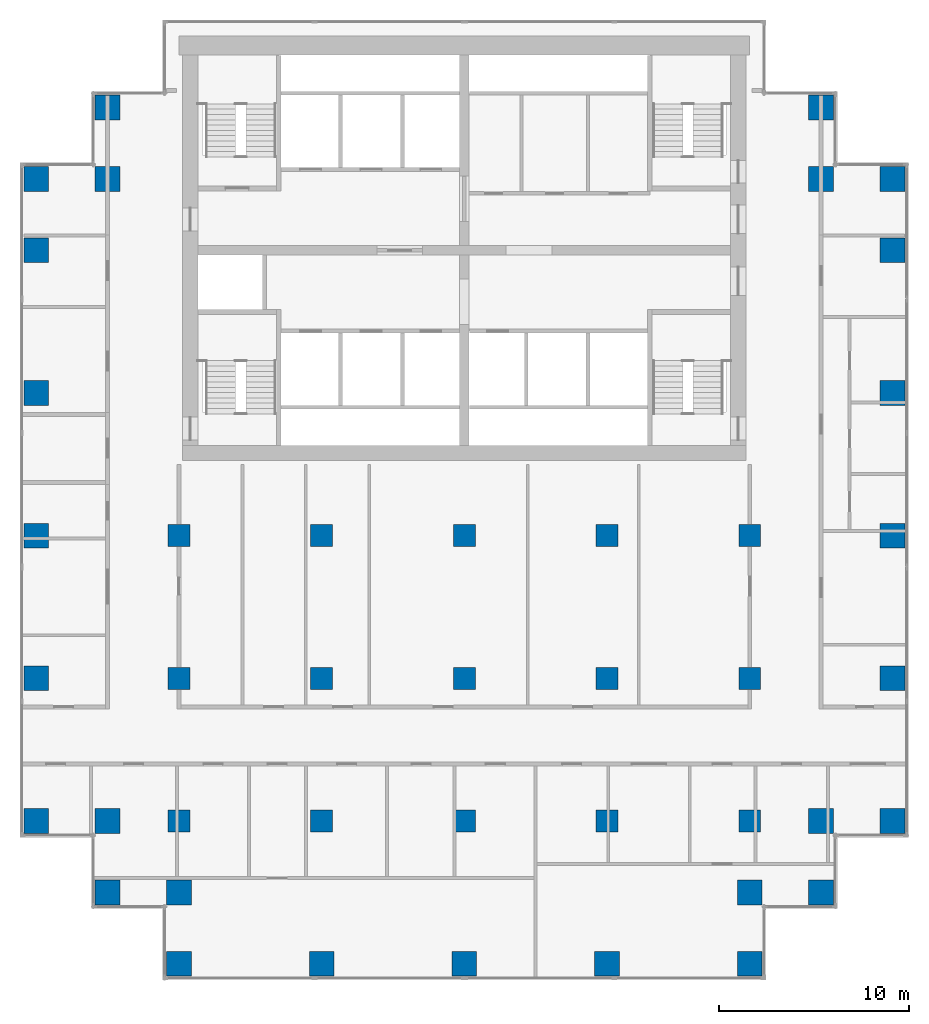
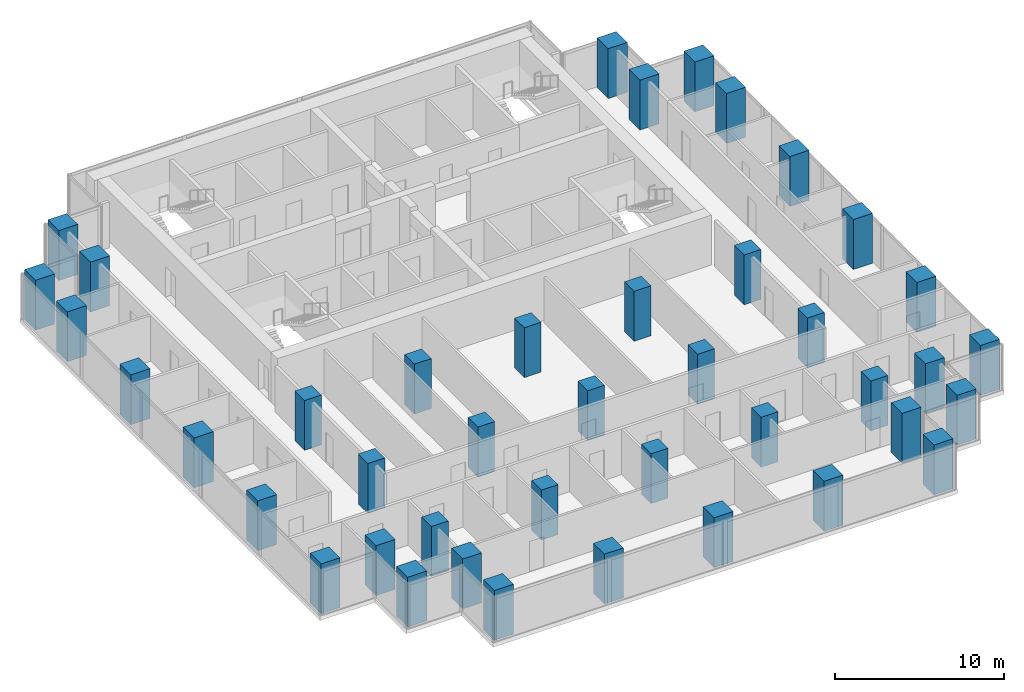
# One storey, part 1 of 11: 42 columns.
"""IFC4 building model written with IfcOpenShell, lengths in metres."""

from ifc_helpers import new_model, si_unit, direction, frame, origin, origin_2d, place, context, subcontext, project, spatial, rectangle, extrude, material, material_profile, profile_set, type_object, element, save


model = new_model("IFC4")

# Units and contexts
model_context = context("Model", 3, precision=1e-05, world=origin(), true_north=direction((0.0, 1.0)))
body_context = subcontext(model_context, "Body", "Model", "MODEL_VIEW")
ifc_project = project(units=[si_unit("LENGTHUNIT", "METRE"), si_unit("AREAUNIT", "SQUARE_METRE"), si_unit("VOLUMEUNIT", "CUBIC_METRE"), si_unit("PLANEANGLEUNIT", "RADIAN"), si_unit("MASSUNIT", "GRAM", prefix="KILO")], contexts=[model_context])

# Site, building, storey
site_placement = place(None, origin())
site = spatial("IfcSite", under=ifc_project, at=site_placement, CompositionType="ELEMENT")
building_placement = place(site_placement, origin())
building = spatial("IfcBuilding", under=site, at=building_placement, Name="Pilkhan Gate Tower", CompositionType="ELEMENT")
storey_placement = place(building_placement, frame((0.0, 0.0, 125.199951171875)))
storey = spatial("IfcBuildingStorey", under=building, at=storey_placement, Name="L31", CompositionType="ELEMENT", Elevation=125.199951171875)

# Columns
ifc_material = material(Name="Concrete C60/75", Category="concrete")
ifc_material_profile_1 = material_profile(ifc_material, rectangle(XDim=1.14990234375, YDim=1.14990234375, at=origin_2d()), Name="RC 1150x1150")
ifc_profile_set_1 = profile_set([ifc_material_profile_1], Name="Concrete C60/75")
column_type_1 = type_object("IfcColumnType", Name="Column C115 RC 1150x1150 C60/75", PredefinedType="COLUMN", material=ifc_profile_set_1)
for number, where, z_axis, x_axis, name in (
    (1, (60.0, 52.5, 0.0), (0.0, 0.0, 1.0), (1.0, 0.0, 0.0), "Column 7/D L31"),
    (2, (60.0, 60.0, 0.0), (0.0, 0.0, 1.0), (1.0, 0.0, 0.0), "Column 7/F L31"),
    (3, (60.0, 67.5, 0.0), (0.0, 0.0, 1.0), (1.0, 0.0, 0.0), "Column 7/H L31"),
    (4, (67.5, 52.5, 0.0), (0.0, 0.0, 1.0), (1.0, 0.0, 0.0), "Column 9/D L31"),
    (5, (67.5, 60.0, 0.0), (0.0, 0.0, 1.0), (1.0, 0.0, 0.0), "Column 9/F L31"),
    (6, (67.5, 67.5, 0.0), (0.0, 0.0, 1.0), (1.0, 0.0, 0.0), "Column 9/H L31"),
    (7, (75.0, 52.5, 0.0), (0.0, 0.0, 1.0), (1.0, 0.0, 0.0), "Column 11/D L31"),
    (8, (75.0, 60.0, 0.0), (0.0, 0.0, 1.0), (1.0, 0.0, 0.0), "Column 11/F L31"),
    (9, (75.0, 67.5, 0.0), (0.0, 0.0, 1.0), (1.0, 0.0, 0.0), "Column 11/H L31"),
    (10, (82.5, 52.5, 0.0), (0.0, 0.0, 1.0), (1.0, 0.0, 0.0), "Column 13/D L31"),
    (11, (82.5, 60.0, 0.0), (0.0, 0.0, 1.0), (1.0, 0.0, 0.0), "Column 13/F L31"),
    (12, (82.5, 67.5, 0.0), (0.0, 0.0, 1.0), (1.0, 0.0, 0.0), "Column 13/H L31"),
    (13, (90.0, 52.5, 0.0), (0.0, 0.0, 1.0), (1.0, 0.0, 0.0), "Column 15/D L31"),
    (14, (90.0, 60.0, 0.0), (0.0, 0.0, 1.0), (1.0, 0.0, 0.0), "Column 15/F L31"),
    (15, (90.0, 67.5, 0.0), (0.0, 0.0, 1.0), (1.0, 0.0, 0.0), "Column 15/H L31"),
):
    element("IfcColumn", number, at=place(storey_placement, frame(where, z_axis=z_axis, x_axis=x_axis)), inside=storey, type_object=column_type_1, Name=name, PredefinedType="COLUMN", context=body_context, shape_type="SweptSolid", body=[
        extrude(rectangle(XDim=1.14990234375, YDim=1.14990234375, at=origin_2d()), origin(), (0.0, 0.0, 1.0), 3.60009765625),
    ])
ifc_material_profile_2 = material_profile(ifc_material, rectangle(XDim=1.300048828125, YDim=1.300048828125, at=origin_2d()), Name="RC 1300x1300")
ifc_profile_set_2 = profile_set([ifc_material_profile_2], Name="Concrete C60/75")
column_type_2 = type_object("IfcColumnType", Name="Column C130 RC 1300x1300 C60/75", PredefinedType="COLUMN", material=ifc_profile_set_2)
for number, where, z_axis, x_axis, name in (
    (16, (52.5, 52.5, 0.0), (0.0, 0.0, 1.0), (1.0, 0.0, 0.0), "Column 5/D L31"),
    (17, (52.5, 60.0, 0.0), (0.0, 0.0, 1.0), (1.0, 0.0, 0.0), "Column 5/F L31"),
    (18, (52.5, 67.5, 0.0), (0.0, 0.0, 1.0), (1.0, 0.0, 0.0), "Column 5/H L31"),
    (19, (52.5, 75.0, 0.0), (0.0, 0.0, 1.0), (1.0, 0.0, 0.0), "Column 5/K L31"),
    (20, (52.5, 82.5, 0.0), (0.0, 0.0, 1.0), (1.0, 0.0, 0.0), "Column 5/M L31"),
    (21, (52.5, 86.25, 0.0), (0.0, 0.0, 1.0), (1.0, 0.0, 0.0), "Column 5/N L31"),
    (22, (56.25, 48.75, 0.0), (0.0, 0.0, 1.0), (1.0, 0.0, 0.0), "Column 6/C L31"),
    (23, (56.25, 52.5, 0.0), (0.0, 0.0, 1.0), (1.0, 0.0, 0.0), "Column 6/D L31"),
    (24, (56.25, 86.25, 0.0), (0.0, 0.0, 1.0), (1.0, 0.0, 0.0), "Column 6/N L31"),
    (25, (56.25, 90.0, 0.0), (0.0, 0.0, 1.0), (1.0, 0.0, 0.0), "Column 6/P L31"),
    (26, (60.0, 45.0, 0.0), (0.0, 0.0, 1.0), (1.0, 0.0, 0.0), "Column 7/B L31"),
    (27, (60.0, 48.75, 0.0), (0.0, 0.0, 1.0), (1.0, 0.0, 0.0), "Column 7/C L31"),
    (28, (67.5, 45.0, 0.0), (0.0, 0.0, 1.0), (1.0, 0.0, 0.0), "Column 9/B L31"),
    (29, (75.0, 45.0, 0.0), (0.0, 0.0, 1.0), (1.0, 0.0, 0.0), "Column 11/B L31"),
    (30, (82.5, 45.0, 0.0), (0.0, 0.0, 1.0), (1.0, 0.0, 0.0), "Column 13/B L31"),
    (31, (90.0, 45.0, 0.0), (0.0, 0.0, 1.0), (1.0, 0.0, 0.0), "Column 15/B L31"),
    (32, (90.0, 48.75, 0.0), (0.0, 0.0, 1.0), (1.0, 0.0, 0.0), "Column 15/C L31"),
    (33, (93.75, 48.75, 0.0), (0.0, 0.0, 1.0), (1.0, 0.0, 0.0), "Column 16/C L31"),
    (34, (93.75, 52.5, 0.0), (0.0, 0.0, 1.0), (1.0, 0.0, 0.0), "Column 16/D L31"),
    (35, (93.75, 86.25, 0.0), (0.0, 0.0, 1.0), (1.0, 0.0, 0.0), "Column 16/N L31"),
    (36, (93.75, 90.0, 0.0), (0.0, 0.0, 1.0), (1.0, 0.0, 0.0), "Column 16/P L31"),
    (37, (97.5, 52.5, 0.0), (0.0, 0.0, 1.0), (1.0, 0.0, 0.0), "Column 17/D L31"),
    (38, (97.5, 60.0, 0.0), (0.0, 0.0, 1.0), (1.0, 0.0, 0.0), "Column 17/F L31"),
    (39, (97.5, 67.5, 0.0), (0.0, 0.0, 1.0), (1.0, 0.0, 0.0), "Column 17/H L31"),
    (40, (97.5, 75.0, 0.0), (0.0, 0.0, 1.0), (1.0, 0.0, 0.0), "Column 17/K L31"),
    (41, (97.5, 82.5, 0.0), (0.0, 0.0, 1.0), (1.0, 0.0, 0.0), "Column 17/M L31"),
    (42, (97.5, 86.25, 0.0), (0.0, 0.0, 1.0), (1.0, 0.0, 0.0), "Column 17/N L31"),
):
    element("IfcColumn", number, at=place(storey_placement, frame(where, z_axis=z_axis, x_axis=x_axis)), inside=storey, type_object=column_type_2, Name=name, PredefinedType="COLUMN", context=body_context, shape_type="SweptSolid", body=[
        extrude(rectangle(XDim=1.300048828125, YDim=1.300048828125, at=origin_2d()), origin(), (0.0, 0.0, 1.0), 3.60009765625),
    ])

save(model, "model.ifc")
